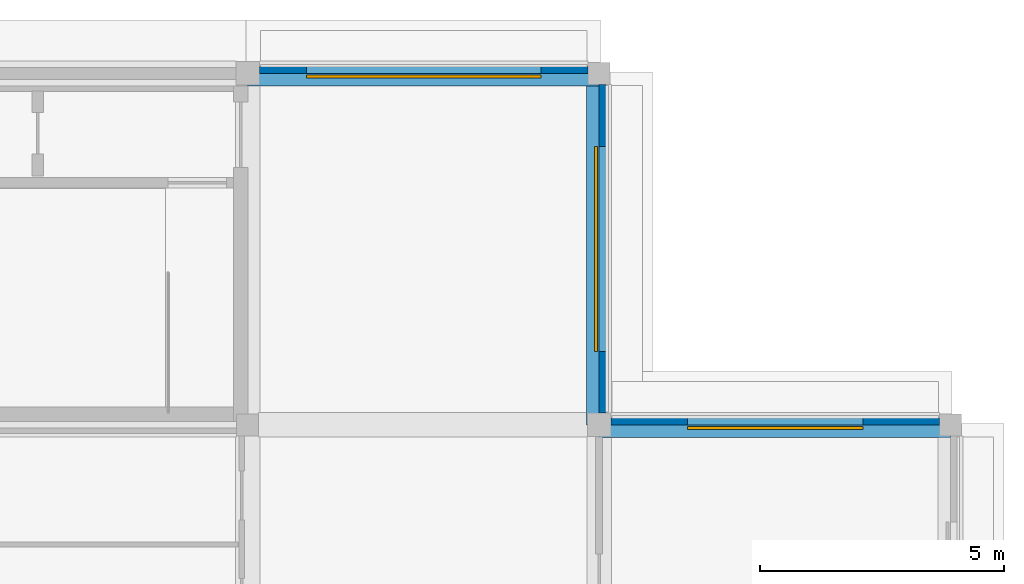
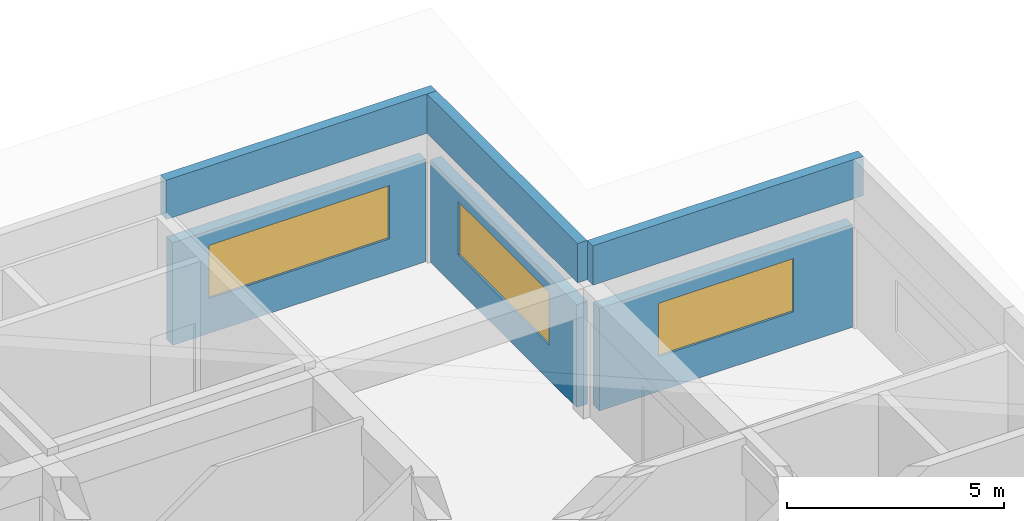
# One storey, part 5 of 6: 6 walls, 3 windows, 3 openings.
"""IFC4 building model written with IfcOpenShell, lengths in metres."""

import ifcopenshell
import ifcopenshell.guid

model = None  # the IFC model being written
_history = None  # IfcOwnerHistory: only IFC2X3 demands one
_inside = {}  # id of a spatial element -> (the spatial element, [elements in it])
_under = {}  # id of a project, library or spatial element -> (it, [spatial elements below it])
_declared = {}  # id of a project -> (the project, [libraries it declares])
_typed = {}  # id of a type object -> (the type object, [elements of that type])
_made_of = {}  # id of a material, layer set ... -> (it, [elements and type objects made of it])


def new_model(schema):
    """Start an empty IFC model of exactly this schema.

    Asked for "IFC4X3", IfcOpenShell would pick the latest addendum, in which some entities
    have other attributes; the version numbers below select the first issue.
    IFC2X3 requires an IfcOwnerHistory on every rooted entity: one is made here for all.
    """
    global model, _history
    if schema == "IFC4X3":
        model = ifcopenshell.file(schema_version=(4, 3, 0, 0))
    else:
        model = ifcopenshell.file(schema=schema)
    _inside.clear()
    _under.clear()
    _declared.clear()
    _typed.clear()
    _made_of.clear()
    _history = None
    if model.schema == "IFC2X3":
        org = make("IfcOrganization", Name="unknown")
        user = make(
            "IfcPersonAndOrganization",
            ThePerson=make("IfcPerson", FamilyName="unknown"),
            TheOrganization=org,
        )
        app = make(
            "IfcApplication",
            ApplicationDeveloper=org,
            Version="unknown",
            ApplicationFullName="unknown",
            ApplicationIdentifier="unknown",
        )
        _history = make(
            "IfcOwnerHistory",
            OwningUser=user,
            OwningApplication=app,
            ChangeAction="ADDED",
            CreationDate=0,
        )
    return model


def make(cls, **values):
    """One entity of the class cls with the attributes given. An attribute that is None is left unset."""
    return model.create_entity(
        cls, **{name: value for name, value in values.items() if value is not None}
    )


def rooted(cls, **values):
    """An entity with a GlobalId (a new one), such as an element, a storey or a relation."""
    return make(cls, GlobalId=ifcopenshell.guid.new(), OwnerHistory=_history, **values)


def si_unit(unit_type, name, prefix=None):
    """IfcSIUnit, for example si_unit("LENGTHUNIT", "METRE", prefix="MILLI")."""
    return make("IfcSIUnit", UnitType=unit_type, Prefix=prefix, Name=name)


def assignment(units):
    """IfcUnitAssignment: the units of a project."""
    return None if units is None else make("IfcUnitAssignment", Units=units)


def point(xyz):
    """IfcCartesianPoint."""
    return None if xyz is None else make("IfcCartesianPoint", Coordinates=xyz)


def direction(xyz):
    """IfcDirection."""
    return None if xyz is None else make("IfcDirection", DirectionRatios=xyz)


def frame(location, z_axis=None, x_axis=None):
    """IfcAxis2Placement3D, a coordinate frame: its origin and axes. An axis left out is left unset."""
    return make(
        "IfcAxis2Placement3D",
        Location=point(location),
        Axis=direction(z_axis),
        RefDirection=direction(x_axis),
    )


def frame_2d(location, x_axis=None):
    """IfcAxis2Placement2D, a coordinate frame in the plane: its origin and x axis."""
    return make(
        "IfcAxis2Placement2D", Location=point(location), RefDirection=direction(x_axis)
    )


def origin():
    """The frame at (0, 0, 0) with its axes left unset."""
    return frame((0.0, 0.0, 0.0))


def place(relative_to, where):
    """IfcLocalPlacement: puts the frame where relative to a parent placement (None: the world)."""
    return make(
        "IfcLocalPlacement", PlacementRelTo=relative_to, RelativePlacement=where
    )


def context(
    kind, dimensions, precision=None, world=None, true_north=None, identifier=None
):
    """IfcGeometricRepresentationContext, for example the 3D "Model" context."""
    return make(
        "IfcGeometricRepresentationContext",
        ContextIdentifier=identifier,
        ContextType=kind,
        CoordinateSpaceDimension=dimensions,
        Precision=precision,
        WorldCoordinateSystem=world,
        TrueNorth=true_north,
    )


def subcontext(parent, identifier, kind, view, scale=None):
    """IfcGeometricRepresentationSubContext, for example "Body" below "Model"."""
    return make(
        "IfcGeometricRepresentationSubContext",
        ContextIdentifier=identifier,
        ContextType=kind,
        ParentContext=parent,
        TargetScale=scale,
        TargetView=view,
    )


def project(units=None, contexts=None):
    """IfcProject with its units and contexts."""
    return rooted(
        "IfcProject",
        Name="project",
        RepresentationContexts=contexts,
        UnitsInContext=assignment(units),
    )


def spatial(cls, under=None, at=None, **own):
    """A site, building, storey or space (cls), placed at a placement, below another one or the project."""
    s = rooted(cls, ObjectPlacement=at, **own)
    if under is not None:
        _under.setdefault(under.id(), (under, []))[1].append(s)
    return s


def profile(cls, at=None, kind="AREA", **sizes):
    """A parametric profile (cls). Its sizes go by their IFC names, for example OverallWidth=200.0."""
    return make(cls, ProfileType=kind, Position=at, **sizes)


def rectangle(**sizes):
    """IfcRectangleProfileDef."""
    return profile("IfcRectangleProfileDef", **sizes)


def extrude(swept, where, along, depth):
    """IfcExtrudedAreaSolid: the profile swept, set in the frame where, extruded along a direction by depth."""
    return make(
        "IfcExtrudedAreaSolid",
        SweptArea=swept,
        Position=where,
        ExtrudedDirection=direction(along),
        Depth=depth,
    )


def shape(context_of_items, identifier, shape_type, items):
    """IfcShapeRepresentation: the items that make up one representation, for example the "Body"."""
    return make(
        "IfcShapeRepresentation",
        ContextOfItems=context_of_items,
        RepresentationIdentifier=identifier,
        RepresentationType=shape_type,
        Items=items,
    )


def material(Name=None, Category=None):
    """IfcMaterial."""
    return make("IfcMaterial", Name=Name, Category=Category)


def layer(
    of_material, thickness, ventilated=None, Name=None, Category=None, Priority=None
):
    """IfcMaterialLayer: one layer of a wall or slab, of a material (None: an air gap)."""
    return make(
        "IfcMaterialLayer",
        Material=of_material,
        LayerThickness=thickness,
        IsVentilated=ventilated,
        Name=Name,
        Category=Category,
        Priority=Priority,
    )


def layer_set(layers, Name=None):
    """IfcMaterialLayerSet."""
    return make("IfcMaterialLayerSet", MaterialLayers=layers, LayerSetName=Name)


def made_of(thing, what):
    """Note that an element or type object is made of a material, layer set ...; save() writes the relation."""
    if what is not None:
        _made_of.setdefault(what.id(), (what, []))[1].append(thing)
    return thing


def type_object(cls, material=None, **own):
    """A type object (cls), such as IfcWallType, which elements share."""
    return made_of(rooted(cls, **own), material)


def element(
    cls,
    number,
    at=None,
    inside=None,
    cuts=None,
    type_object=None,
    material=None,
    context=None,
    identifier="Body",
    shape_type=None,
    held_by="IfcProductDefinitionShape",
    body=None,
    shapes=None,
    **own,
):
    """One element of the class cls, such as IfcWall. Its Tag is "e" and its number.

    at: its placement. inside: the storey or other place that contains it. cuts: it is an
    opening in that element (IfcRelVoidsElement). A single representation is given by context,
    identifier, shape_type and body (its items); several are given by shapes. held_by: the class
    of the entity that holds the representations. save() writes the other relations.
    """
    e = rooted(cls, Tag="e%d" % number, ObjectPlacement=at, **own)
    if body is not None:
        shapes = [shape(context, identifier, shape_type, body)]
    if shapes is not None:
        e.Representation = make(held_by, Representations=shapes)
    if inside is not None:
        _inside.setdefault(inside.id(), (inside, []))[1].append(e)
    if cuts is not None:
        rooted(
            "IfcRelVoidsElement", RelatingBuildingElement=cuts, RelatedOpeningElement=e
        )
    if type_object is not None:
        _typed.setdefault(type_object.id(), (type_object, []))[1].append(e)
    return made_of(e, material)


def fill(opening, filler):
    """IfcRelFillsElement: the door or window that sits in an opening."""
    return rooted(
        "IfcRelFillsElement",
        RelatingOpeningElement=opening,
        RelatedBuildingElement=filler,
    )


def aggregate(whole, parts):
    """IfcRelAggregates: a whole, such as a stair, and the parts it consists of."""
    return rooted("IfcRelAggregates", RelatingObject=whole, RelatedObjects=parts)


def save(model, path):
    """Write the relations noted so far, then the file.

    IfcRelAggregates (storeys below a building ...), IfcRelContainedInSpatialStructure (elements
    in a storey), IfcRelDefinesByType, IfcRelAssociatesMaterial and IfcRelDeclares: one each for
    every whole, place, type object, material and project.
    """
    for whole, parts in _under.values():
        aggregate(whole, parts)
    for where, things in _inside.values():
        rooted(
            "IfcRelContainedInSpatialStructure",
            RelatedElements=things,
            RelatingStructure=where,
        )
    for kind, things in _typed.values():
        rooted("IfcRelDefinesByType", RelatedObjects=things, RelatingType=kind)
    for what, things in _made_of.values():
        rooted("IfcRelAssociatesMaterial", RelatedObjects=things, RelatingMaterial=what)
    for by, libraries in _declared.values():
        rooted("IfcRelDeclares", RelatingContext=by, RelatedDefinitions=libraries)
    model.write(path)


model = new_model("IFC4")

# Units and contexts
model_context = context("Model", 3, precision=1e-05, world=origin(), true_north=direction((0.0, 1.0)))
body_context = subcontext(model_context, "Body", "Model", "MODEL_VIEW")
ifc_project = project(units=[si_unit("LENGTHUNIT", "METRE"), si_unit("AREAUNIT", "SQUARE_METRE"), si_unit("VOLUMEUNIT", "CUBIC_METRE"), si_unit("PLANEANGLEUNIT", "RADIAN"), si_unit("MASSUNIT", "GRAM", prefix="KILO")], contexts=[model_context])

# Site, building, storey
site_placement = place(None, origin())
site = spatial("IfcSite", under=ifc_project, at=site_placement, CompositionType="ELEMENT")
building_placement = place(site_placement, origin())
building = spatial("IfcBuilding", under=site, at=building_placement, Name="Thalmaran Polytechnic", CompositionType="ELEMENT")
storey_placement = place(building_placement, frame((0.0, 0.0, 34.5)))
storey = spatial("IfcBuildingStorey", under=building, at=storey_placement, Name="L08", CompositionType="ELEMENT", Elevation=34.5)

# Wall, opening, window
ifc_material_1 = material(Name="Precast concrete C40/50", Category="concrete")
ifc_layer_1 = layer(ifc_material_1, 0.2900390625, Name="Precast concrete C40/50")
ifc_layer_set_1 = layer_set([ifc_layer_1], Name="Precast concrete C40/50")
wall_type_1 = type_object("IfcWallType", Name="WL-EW04", PredefinedType="STANDARD", material=ifc_layer_set_1)
wall_1_placement = place(storey_placement, frame((14.639892578125, 28.800048828125, 0.0), z_axis=(0.0, 0.0, 1.0), x_axis=(1.0, 0.0, 0.0)))
wall_1 = element("IfcWall", 1, at=wall_1_placement, inside=storey, type_object=wall_type_1, Name="Exterior Precast Facade Wall L08-011", PredefinedType="STANDARD", context=body_context, shape_type="SweptSolid", body=[
    extrude(rectangle(XDim=6.735107421875, YDim=0.2900390625, at=frame_2d((3.36767578125, 0.0))), origin(), (0.0, 0.0, 1.0), 2.889892578125),
])
opening_1_placement = place(wall_1_placement, frame((0.967529296875, 0.0, 0.97998046875)))
opening_1 = element("IfcOpeningElement", 2, at=opening_1_placement, cuts=wall_1, Name="Opening RW01", PredefinedType="OPENING", context=body_context, shape_type="SweptSolid", body=[
    extrude(rectangle(XDim=4.800048828125, YDim=1.5, at=frame_2d((2.39990234375, 0.75))), frame((0.0, 0.155029296875, 0.0), z_axis=(0.0, -1.0, 0.0), x_axis=(1.0, 0.0, 0.0)), (0.0, 0.0, 1.0), 0.31005859375),
])
ifc_material_2 = material(Name="Thermally broken aluminium and double low-E glass", Category="aluminium")
window_type_1 = type_object("IfcWindowType", Name="WN-RW01", PartitioningType="TRIPLE_PANEL_HORIZONTAL", PredefinedType="WINDOW", material=ifc_material_2)
window_1_placement = place(opening_1_placement, origin())
window_1 = element("IfcWindow", 3, at=window_1_placement, inside=storey, type_object=window_type_1, Name="Streamline Ribbon Window W-0798", OverallHeight=1.5, OverallWidth=4.800048828125, PartitioningType="SINGLE_PANEL", PredefinedType="WINDOW", context=body_context, shape_type="SweptSolid", body=[
    extrude(rectangle(XDim=4.800048828125, YDim=1.5, at=frame_2d((2.39990234375, 0.75))), frame((0.0, -0.030029296875, 0.0), z_axis=(0.0, -1.0, 0.0), x_axis=(1.0, 0.0, 0.0)), (0.0, 0.0, 1.0), 0.06005859375),
])
fill(opening_1, window_1)

wall_2_placement = place(storey_placement, frame((21.60009765625, 28.574951171875, 0.0), z_axis=(0.0, 0.0, 1.0), x_axis=(0.0, -1.0, 0.0)))
wall_2 = element("IfcWall", 4, at=wall_2_placement, inside=storey, type_object=wall_type_1, Name="Exterior Precast Facade Wall L08-012", PredefinedType="STANDARD", context=body_context, shape_type="SweptSolid", body=[
    extrude(rectangle(XDim=6.73486328125, YDim=0.2900390625, at=frame_2d((3.367431640625, 0.0))), origin(), (0.0, 0.0, 1.0), 2.889892578125),
])
opening_2_placement = place(wall_2_placement, frame((1.267578125, 0.0, 0.97998046875)))
opening_2 = element("IfcOpeningElement", 5, at=opening_2_placement, cuts=wall_2, Name="Opening RW02", PredefinedType="OPENING", context=body_context, shape_type="SweptSolid", body=[
    extrude(rectangle(XDim=4.199951171875, YDim=1.5, at=frame_2d((2.10009765625, 0.75))), frame((0.0, 0.155029296875, 0.0), z_axis=(0.0, -1.0, 0.0), x_axis=(1.0, 0.0, 0.0)), (0.0, 0.0, 1.0), 0.31005859375),
])
window_type_2 = type_object("IfcWindowType", Name="WN-RW02", PartitioningType="TRIPLE_PANEL_HORIZONTAL", PredefinedType="WINDOW", material=ifc_material_2)
window_2_placement = place(opening_2_placement, origin())
window_2 = element("IfcWindow", 6, at=window_2_placement, inside=storey, type_object=window_type_2, Name="Streamline Ribbon Window W-0799", OverallHeight=1.5, OverallWidth=4.199951171875, PartitioningType="SINGLE_PANEL", PredefinedType="WINDOW", context=body_context, shape_type="SweptSolid", body=[
    extrude(rectangle(XDim=4.199951171875, YDim=1.5, at=frame_2d((2.10009765625, 0.75))), frame((0.0, -0.030029296875, 0.0), z_axis=(0.0, -1.0, 0.0), x_axis=(1.0, 0.0, 0.0)), (0.0, 0.0, 1.0), 0.06005859375),
])
fill(opening_2, window_2)

wall_3_placement = place(storey_placement, frame((21.840087890625, 21.60009765625, 0.0), z_axis=(0.0, 0.0, 1.0), x_axis=(1.0, 0.0, 0.0)))
wall_3 = element("IfcWall", 7, at=wall_3_placement, inside=storey, type_object=wall_type_1, Name="Exterior Precast Facade Wall L08-013", PredefinedType="STANDARD", context=body_context, shape_type="SweptSolid", body=[
    extrude(rectangle(XDim=6.73486328125, YDim=0.2900390625, at=frame_2d((3.367431640625, 0.0))), origin(), (0.0, 0.0, 1.0), 2.889892578125),
])
opening_3_placement = place(wall_3_placement, frame((1.5673828125, 0.0, 0.97998046875)))
opening_3 = element("IfcOpeningElement", 8, at=opening_3_placement, cuts=wall_3, Name="Opening RW03", PredefinedType="OPENING", context=body_context, shape_type="SweptSolid", body=[
    extrude(rectangle(XDim=3.60009765625, YDim=1.5, at=frame_2d((1.800048828125, 0.75))), frame((0.0, 0.155029296875, 0.0), z_axis=(0.0, -1.0, 0.0), x_axis=(1.0, 0.0, 0.0)), (0.0, 0.0, 1.0), 0.31005859375),
])
window_type_3 = type_object("IfcWindowType", Name="WN-RW03", PartitioningType="DOUBLE_PANEL_VERTICAL", PredefinedType="WINDOW", material=ifc_material_2)
window_3_placement = place(opening_3_placement, origin())
window_3 = element("IfcWindow", 9, at=window_3_placement, inside=storey, type_object=window_type_3, Name="Streamline Ribbon Window W-0800", OverallHeight=1.5, OverallWidth=3.60009765625, PartitioningType="SINGLE_PANEL", PredefinedType="WINDOW", context=body_context, shape_type="SweptSolid", body=[
    extrude(rectangle(XDim=3.60009765625, YDim=1.5, at=frame_2d((1.800048828125, 0.75))), frame((0.0, -0.030029296875, 0.0), z_axis=(0.0, -1.0, 0.0), x_axis=(1.0, 0.0, 0.0)), (0.0, 0.0, 1.0), 0.06005859375),
])
fill(opening_3, window_3)

# Walls
ifc_layer_2 = layer(ifc_material_1, 0.260009765625, Name="Precast concrete C40/50")
ifc_layer_set_2 = layer_set([ifc_layer_2], Name="Precast concrete C40/50")
wall_type_2 = type_object("IfcWallType", Name="WL-PW01", PredefinedType="PARAPET", material=ifc_layer_set_2)
wall_4_placement = place(storey_placement, frame((14.39990234375, 28.669921875, 3.695068359375), z_axis=(0.0, 0.0, 1.0), x_axis=(1.0, 0.0, 0.0)))
element("IfcWall", 10, at=wall_4_placement, inside=storey, type_object=wall_type_2, Name="Streamline Crown Parapet L08-011", PredefinedType="PARAPET", context=body_context, shape_type="SweptSolid", body=[
    extrude(rectangle(XDim=7.2001953125, YDim=0.260009765625, at=frame_2d((3.60009765625, 0.0))), origin(), (0.0, 0.0, 1.0), 1.10498046875),
])
for number, where, z_axis, x_axis, name in (
    (11, (21.469970703125, 28.800048828125, 3.695068359375), (0.0, 0.0, 1.0), (0.0, -1.0, 0.0), "Streamline Crown Parapet L08-012"),
    (12, (21.60009765625, 21.469970703125, 3.695068359375), (0.0, 0.0, 1.0), (1.0, 0.0, 0.0), "Streamline Crown Parapet L08-013"),
):
    element("IfcWall", number, at=place(storey_placement, frame(where, z_axis=z_axis, x_axis=x_axis)), inside=storey, type_object=wall_type_2, Name=name, PredefinedType="PARAPET", context=body_context, shape_type="SweptSolid", body=[
        extrude(rectangle(XDim=7.199951171875, YDim=0.260009765625, at=frame_2d((3.60009765625, 0.0))), origin(), (0.0, 0.0, 1.0), 1.10498046875),
    ])

save(model, "model.ifc")
